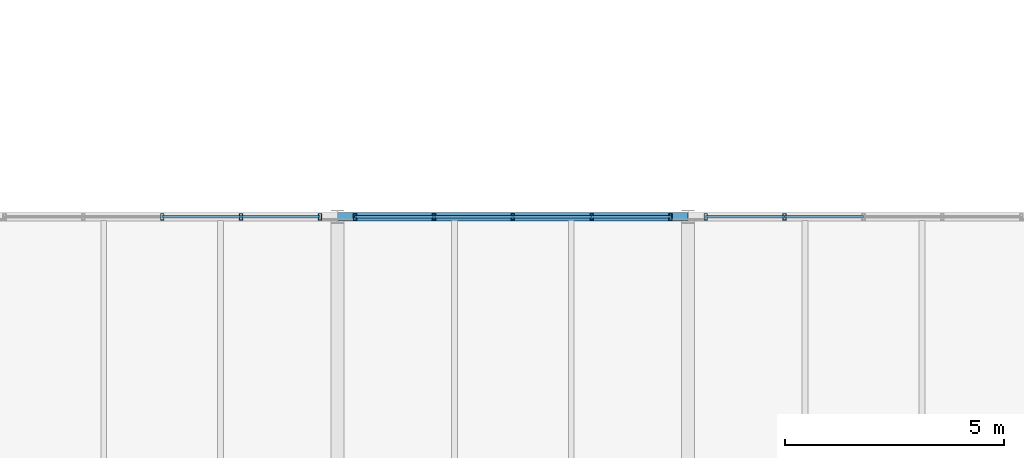
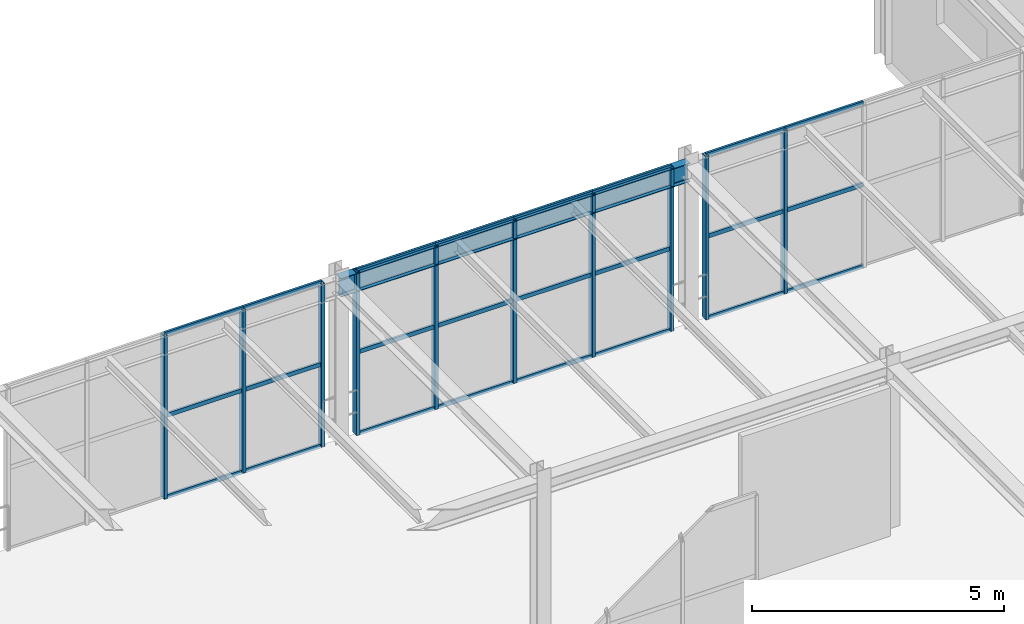
# One storey, part 50 of 124: 34 members, 1 beam, 3 elements without a shape of their own.
"""IFC4 building model written with IfcOpenShell, lengths in metres."""

from ifc_helpers import new_model, si_unit, direction, frame, origin, origin_2d, place, context, subcontext, project, spatial, hollow_rectangle, i_section, extrude, material, material_profile, profile_set, type_object, element, aggregate, save


model = new_model("IFC4")

# Units and contexts
model_context = context("Model", 3, precision=1e-05, world=origin(), true_north=direction((0.0, 1.0)))
body_context = subcontext(model_context, "Body", "Model", "MODEL_VIEW")
ifc_project = project(units=[si_unit("LENGTHUNIT", "METRE"), si_unit("AREAUNIT", "SQUARE_METRE"), si_unit("VOLUMEUNIT", "CUBIC_METRE"), si_unit("PLANEANGLEUNIT", "RADIAN"), si_unit("MASSUNIT", "GRAM", prefix="KILO")], contexts=[model_context])

# Site, building, storey
site_placement = place(None, origin())
site = spatial("IfcSite", under=ifc_project, at=site_placement, CompositionType="ELEMENT")
building_placement = place(site_placement, origin())
building = spatial("IfcBuilding", under=site, at=building_placement, Name="Sundkrona Museum", CompositionType="ELEMENT")
storey_placement = place(building_placement, frame((0.0, 0.0, 17.60009765625)))
storey = spatial("IfcBuildingStorey", under=building, at=storey_placement, Name="L03", CompositionType="ELEMENT", Elevation=17.60009765625)

# Curtain wall, members
ifc_material_1 = material(Name="Unitised Aluminium-Steel and Ceramic-Clad Curtain Walling", Category="steel")
curtain_wall_type = type_object("IfcCurtainWallType", Name="CW-AT-72x38", PredefinedType="NOTDEFINED", material=ifc_material_1)
curtain_wall_1_placement = place(storey_placement, origin())
curtain_wall_1 = element("IfcCurtainWall", 1, at=curtain_wall_1_placement, inside=storey, type_object=curtain_wall_type, Name="L03 Curtain Wall CW-L03-072", PredefinedType="NOTDEFINED")
ifc_material_2 = material(Name="Aluminium EN AW-6060 T66", Category="aluminium")
ifc_material_profile_1 = material_profile(ifc_material_2, hollow_rectangle(XDim=0.074951171875, YDim=0.14990234375, WallThickness=0.00634765625, at=origin_2d()), Name="RHS 150x75x6.3")
ifc_profile_set_1 = profile_set([ifc_material_profile_1], Name="Aluminium EN AW-6060 T66")
member_type_1 = type_object("IfcMemberType", Name="ML-150", PredefinedType="MULLION", material=ifc_profile_set_1)
member_1_placement = place(storey_placement, frame((100.0, 40.0, -0.004150390625), z_axis=(0.0, 0.0, 1.0), x_axis=(1.0, 0.0, 0.0)))
member_1 = element("IfcMember", 2, at=member_1_placement, type_object=member_type_1, Name="CW-L03-072 Mullion 03", PredefinedType="MULLION", context=body_context, shape_type="SweptSolid", body=[
    extrude(hollow_rectangle(XDim=0.074951171875, YDim=0.14990234375, WallThickness=0.00634765625, at=origin_2d()), origin(), (0.0, 0.0, 1.0), 3.947998046875),
])
member_2_placement = place(storey_placement, frame((101.800048828125, 40.0, -0.004150390625), z_axis=(0.0, 0.0, 1.0), x_axis=(1.0, 0.0, 0.0)))
member_2 = element("IfcMember", 3, at=member_2_placement, type_object=member_type_1, Name="CW-L03-072 Mullion 04", PredefinedType="MULLION", context=body_context, shape_type="SweptSolid", body=[
    extrude(hollow_rectangle(XDim=0.074951171875, YDim=0.14990234375, WallThickness=0.00634765625, at=origin_2d()), origin(), (0.0, 0.0, 1.0), 3.947998046875),
])
member_3_placement = place(storey_placement, frame((103.60009765625, 40.0, -0.004150390625), z_axis=(0.0, 0.0, 1.0), x_axis=(1.0, 0.0, 0.0)))
member_3 = element("IfcMember", 4, at=member_3_placement, type_object=member_type_1, Name="CW-L03-072 Mullion 05", PredefinedType="MULLION", context=body_context, shape_type="SweptSolid", body=[
    extrude(hollow_rectangle(XDim=0.074951171875, YDim=0.14990234375, WallThickness=0.00634765625, at=origin_2d()), origin(), (0.0, 0.0, 1.0), 3.947998046875),
])

curtain_wall_2_placement = place(storey_placement, origin())
curtain_wall_2 = element("IfcCurtainWall", 5, at=curtain_wall_2_placement, inside=storey, type_object=curtain_wall_type, Name="L03 Curtain Wall CW-L03-073", PredefinedType="NOTDEFINED")
member_4_placement = place(storey_placement, frame((104.39990234375, 40.0, -0.004150390625), z_axis=(0.0, 0.0, 1.0), x_axis=(1.0, 0.0, 0.0)))
member_4 = element("IfcMember", 6, at=member_4_placement, type_object=member_type_1, Name="CW-L03-073 Mullion 01", PredefinedType="MULLION", context=body_context, shape_type="SweptSolid", body=[
    extrude(hollow_rectangle(XDim=0.074951171875, YDim=0.14990234375, WallThickness=0.00634765625, at=origin_2d()), origin(), (0.0, 0.0, 1.0), 3.947998046875),
])
member_5_placement = place(storey_placement, frame((106.199951171875, 40.0, -0.004150390625), z_axis=(0.0, 0.0, 1.0), x_axis=(1.0, 0.0, 0.0)))
member_5 = element("IfcMember", 7, at=member_5_placement, type_object=member_type_1, Name="CW-L03-073 Mullion 02", PredefinedType="MULLION", context=body_context, shape_type="SweptSolid", body=[
    extrude(hollow_rectangle(XDim=0.074951171875, YDim=0.14990234375, WallThickness=0.00634765625, at=origin_2d()), origin(), (0.0, 0.0, 1.0), 3.947998046875),
])
member_6_placement = place(storey_placement, frame((108.0, 40.0, -0.004150390625), z_axis=(0.0, 0.0, 1.0), x_axis=(1.0, 0.0, 0.0)))
member_6 = element("IfcMember", 8, at=member_6_placement, type_object=member_type_1, Name="CW-L03-073 Mullion 03", PredefinedType="MULLION", context=body_context, shape_type="SweptSolid", body=[
    extrude(hollow_rectangle(XDim=0.074951171875, YDim=0.14990234375, WallThickness=0.00634765625, at=origin_2d()), origin(), (0.0, 0.0, 1.0), 3.947998046875),
])
member_7_placement = place(storey_placement, frame((109.800048828125, 40.0, -0.004150390625), z_axis=(0.0, 0.0, 1.0), x_axis=(1.0, 0.0, 0.0)))
member_7 = element("IfcMember", 9, at=member_7_placement, type_object=member_type_1, Name="CW-L03-073 Mullion 04", PredefinedType="MULLION", context=body_context, shape_type="SweptSolid", body=[
    extrude(hollow_rectangle(XDim=0.074951171875, YDim=0.14990234375, WallThickness=0.00634765625, at=origin_2d()), origin(), (0.0, 0.0, 1.0), 3.947998046875),
])
member_8_placement = place(storey_placement, frame((111.60009765625, 40.0, -0.004150390625), z_axis=(0.0, 0.0, 1.0), x_axis=(1.0, 0.0, 0.0)))
member_8 = element("IfcMember", 10, at=member_8_placement, type_object=member_type_1, Name="CW-L03-073 Mullion 05", PredefinedType="MULLION", context=body_context, shape_type="SweptSolid", body=[
    extrude(hollow_rectangle(XDim=0.074951171875, YDim=0.14990234375, WallThickness=0.00634765625, at=origin_2d()), origin(), (0.0, 0.0, 1.0), 3.947998046875),
])

curtain_wall_3_placement = place(storey_placement, origin())
curtain_wall_3 = element("IfcCurtainWall", 11, at=curtain_wall_3_placement, inside=storey, type_object=curtain_wall_type, Name="L03 Curtain Wall CW-L03-074", PredefinedType="NOTDEFINED")
member_9_placement = place(storey_placement, frame((112.39990234375, 40.0, -0.004150390625), z_axis=(0.0, 0.0, 1.0), x_axis=(1.0, 0.0, 0.0)))
member_9 = element("IfcMember", 12, at=member_9_placement, type_object=member_type_1, Name="CW-L03-074 Mullion 01", PredefinedType="MULLION", context=body_context, shape_type="SweptSolid", body=[
    extrude(hollow_rectangle(XDim=0.074951171875, YDim=0.14990234375, WallThickness=0.00634765625, at=origin_2d()), origin(), (0.0, 0.0, 1.0), 3.947998046875),
])
member_10_placement = place(storey_placement, frame((114.199951171875, 40.0, -0.004150390625), z_axis=(0.0, 0.0, 1.0), x_axis=(1.0, 0.0, 0.0)))
member_10 = element("IfcMember", 13, at=member_10_placement, type_object=member_type_1, Name="CW-L03-074 Mullion 02", PredefinedType="MULLION", context=body_context, shape_type="SweptSolid", body=[
    extrude(hollow_rectangle(XDim=0.074951171875, YDim=0.14990234375, WallThickness=0.00634765625, at=origin_2d()), origin(), (0.0, 0.0, 1.0), 3.947998046875),
])

# Beam
ifc_material_3 = material(Name="Steel S355J2", Category="steel")
ifc_material_profile_2 = material_profile(ifc_material_3, i_section(OverallWidth=0.18994140625, OverallDepth=0.449951171875, WebThickness=0.009521484375, FlangeThickness=0.0146484375, FilletRadius=0.02099609375, at=origin_2d()), Name="IPE 450")
ifc_profile_set_2 = profile_set([ifc_material_profile_2], Name="Steel S355J2")
beam_type = type_object("IfcBeamType", Name="SP-IPE450", PredefinedType="SPANDREL", material=ifc_profile_set_2)
beam_placement = place(storey_placement, frame((104.0, 40.0, 3.71484375), z_axis=(1.0, 0.0, 0.0), x_axis=(0.0, 1.0, 0.0)))
element("IfcBeam", 14, at=beam_placement, inside=storey, type_object=beam_type, Name="L03 Girder X-1460", PredefinedType="SPANDREL", context=body_context, shape_type="SweptSolid", body=[
    extrude(i_section(OverallWidth=0.18994140625, OverallDepth=0.449951171875, WebThickness=0.009521484375, FlangeThickness=0.0146484375, FilletRadius=0.02099609375, at=origin_2d()), origin(), (0.0, 0.0, 1.0), 8.0),
])

# Member
ifc_material_profile_3 = material_profile(ifc_material_2, hollow_rectangle(XDim=0.050048828125, YDim=0.10009765625, WallThickness=0.0048828125, at=origin_2d()), Name="RHS 100x50x5.0")
ifc_profile_set_3 = profile_set([ifc_material_profile_3], Name="Aluminium EN AW-6060 T66")
member_type_2 = type_object("IfcMemberType", Name="TR-100", PredefinedType="USERDEFINED", material=ifc_profile_set_3)
member_11_placement = place(storey_placement, frame((100.0, 40.0, -0.004150390625), z_axis=(1.0, 0.0, 0.0), x_axis=(0.0, 1.0, 0.0)))
member_11 = element("IfcMember", 15, at=member_11_placement, type_object=member_type_2, Name="CW-L03-072 Transom 07", ObjectType="TRANSOM", PredefinedType="USERDEFINED", context=body_context, shape_type="SweptSolid", body=[
    extrude(hollow_rectangle(XDim=0.050048828125, YDim=0.10009765625, WallThickness=0.0048828125, at=origin_2d()), origin(), (0.0, 0.0, 1.0), 1.800048828125),
])

member_12_placement = place(storey_placement, frame((100.0, 40.0, 1.969970703125), z_axis=(1.0, 0.0, 0.0), x_axis=(0.0, 1.0, 0.0)))
member_12 = element("IfcMember", 16, at=member_12_placement, type_object=member_type_2, Name="CW-L03-072 Transom 08", ObjectType="TRANSOM", PredefinedType="USERDEFINED", context=body_context, shape_type="SweptSolid", body=[
    extrude(hollow_rectangle(XDim=0.050048828125, YDim=0.10009765625, WallThickness=0.0048828125, at=origin_2d()), origin(), (0.0, 0.0, 1.0), 1.800048828125),
])

member_13_placement = place(storey_placement, frame((100.0, 40.0, 3.94384765625), z_axis=(1.0, 0.0, 0.0), x_axis=(0.0, 1.0, 0.0)))
member_13 = element("IfcMember", 17, at=member_13_placement, type_object=member_type_2, Name="CW-L03-072 Transom 09", ObjectType="TRANSOM", PredefinedType="USERDEFINED", context=body_context, shape_type="SweptSolid", body=[
    extrude(hollow_rectangle(XDim=0.050048828125, YDim=0.10009765625, WallThickness=0.0048828125, at=origin_2d()), origin(), (0.0, 0.0, 1.0), 1.800048828125),
])

member_14_placement = place(storey_placement, frame((101.800048828125, 40.0, -0.004150390625), z_axis=(1.0, 0.0, 0.0), x_axis=(0.0, 1.0, 0.0)))
member_14 = element("IfcMember", 18, at=member_14_placement, type_object=member_type_2, Name="CW-L03-072 Transom 10", ObjectType="TRANSOM", PredefinedType="USERDEFINED", context=body_context, shape_type="SweptSolid", body=[
    extrude(hollow_rectangle(XDim=0.050048828125, YDim=0.10009765625, WallThickness=0.0048828125, at=origin_2d()), origin(), (0.0, 0.0, 1.0), 1.800048828125),
])

member_15_placement = place(storey_placement, frame((101.800048828125, 40.0, 1.969970703125), z_axis=(1.0, 0.0, 0.0), x_axis=(0.0, 1.0, 0.0)))
member_15 = element("IfcMember", 19, at=member_15_placement, type_object=member_type_2, Name="CW-L03-072 Transom 11", ObjectType="TRANSOM", PredefinedType="USERDEFINED", context=body_context, shape_type="SweptSolid", body=[
    extrude(hollow_rectangle(XDim=0.050048828125, YDim=0.10009765625, WallThickness=0.0048828125, at=origin_2d()), origin(), (0.0, 0.0, 1.0), 1.800048828125),
])

member_16_placement = place(storey_placement, frame((101.800048828125, 40.0, 3.94384765625), z_axis=(1.0, 0.0, 0.0), x_axis=(0.0, 1.0, 0.0)))
member_16 = element("IfcMember", 20, at=member_16_placement, type_object=member_type_2, Name="CW-L03-072 Transom 12", ObjectType="TRANSOM", PredefinedType="USERDEFINED", context=body_context, shape_type="SweptSolid", body=[
    extrude(hollow_rectangle(XDim=0.050048828125, YDim=0.10009765625, WallThickness=0.0048828125, at=origin_2d()), origin(), (0.0, 0.0, 1.0), 1.800048828125),
])

aggregate(curtain_wall_1, [member_1, member_2, member_3, member_11, member_12, member_13, member_14, member_15, member_16])

member_17_placement = place(storey_placement, frame((104.39990234375, 40.0, -0.004150390625), z_axis=(1.0, 0.0, 0.0), x_axis=(0.0, 1.0, 0.0)))
member_17 = element("IfcMember", 21, at=member_17_placement, type_object=member_type_2, Name="CW-L03-073 Transom 01", ObjectType="TRANSOM", PredefinedType="USERDEFINED", context=body_context, shape_type="SweptSolid", body=[
    extrude(hollow_rectangle(XDim=0.050048828125, YDim=0.10009765625, WallThickness=0.0048828125, at=origin_2d()), origin(), (0.0, 0.0, 1.0), 1.800048828125),
])

member_18_placement = place(storey_placement, frame((104.39990234375, 40.0, 1.969970703125), z_axis=(1.0, 0.0, 0.0), x_axis=(0.0, 1.0, 0.0)))
member_18 = element("IfcMember", 22, at=member_18_placement, type_object=member_type_2, Name="CW-L03-073 Transom 02", ObjectType="TRANSOM", PredefinedType="USERDEFINED", context=body_context, shape_type="SweptSolid", body=[
    extrude(hollow_rectangle(XDim=0.050048828125, YDim=0.10009765625, WallThickness=0.0048828125, at=origin_2d()), origin(), (0.0, 0.0, 1.0), 1.800048828125),
])

member_19_placement = place(storey_placement, frame((104.39990234375, 40.0, 3.94384765625), z_axis=(1.0, 0.0, 0.0), x_axis=(0.0, 1.0, 0.0)))
member_19 = element("IfcMember", 23, at=member_19_placement, type_object=member_type_2, Name="CW-L03-073 Transom 03", ObjectType="TRANSOM", PredefinedType="USERDEFINED", context=body_context, shape_type="SweptSolid", body=[
    extrude(hollow_rectangle(XDim=0.050048828125, YDim=0.10009765625, WallThickness=0.0048828125, at=origin_2d()), origin(), (0.0, 0.0, 1.0), 1.800048828125),
])

member_20_placement = place(storey_placement, frame((106.199951171875, 40.0, -0.004150390625), z_axis=(1.0, 0.0, 0.0), x_axis=(0.0, 1.0, 0.0)))
member_20 = element("IfcMember", 24, at=member_20_placement, type_object=member_type_2, Name="CW-L03-073 Transom 04", ObjectType="TRANSOM", PredefinedType="USERDEFINED", context=body_context, shape_type="SweptSolid", body=[
    extrude(hollow_rectangle(XDim=0.050048828125, YDim=0.10009765625, WallThickness=0.0048828125, at=origin_2d()), origin(), (0.0, 0.0, 1.0), 1.800048828125),
])

member_21_placement = place(storey_placement, frame((106.199951171875, 40.0, 1.969970703125), z_axis=(1.0, 0.0, 0.0), x_axis=(0.0, 1.0, 0.0)))
member_21 = element("IfcMember", 25, at=member_21_placement, type_object=member_type_2, Name="CW-L03-073 Transom 05", ObjectType="TRANSOM", PredefinedType="USERDEFINED", context=body_context, shape_type="SweptSolid", body=[
    extrude(hollow_rectangle(XDim=0.050048828125, YDim=0.10009765625, WallThickness=0.0048828125, at=origin_2d()), origin(), (0.0, 0.0, 1.0), 1.800048828125),
])

member_22_placement = place(storey_placement, frame((106.199951171875, 40.0, 3.94384765625), z_axis=(1.0, 0.0, 0.0), x_axis=(0.0, 1.0, 0.0)))
member_22 = element("IfcMember", 26, at=member_22_placement, type_object=member_type_2, Name="CW-L03-073 Transom 06", ObjectType="TRANSOM", PredefinedType="USERDEFINED", context=body_context, shape_type="SweptSolid", body=[
    extrude(hollow_rectangle(XDim=0.050048828125, YDim=0.10009765625, WallThickness=0.0048828125, at=origin_2d()), origin(), (0.0, 0.0, 1.0), 1.800048828125),
])

member_23_placement = place(storey_placement, frame((108.0, 40.0, -0.004150390625), z_axis=(1.0, 0.0, 0.0), x_axis=(0.0, 1.0, 0.0)))
member_23 = element("IfcMember", 27, at=member_23_placement, type_object=member_type_2, Name="CW-L03-073 Transom 07", ObjectType="TRANSOM", PredefinedType="USERDEFINED", context=body_context, shape_type="SweptSolid", body=[
    extrude(hollow_rectangle(XDim=0.050048828125, YDim=0.10009765625, WallThickness=0.0048828125, at=origin_2d()), origin(), (0.0, 0.0, 1.0), 1.800048828125),
])

member_24_placement = place(storey_placement, frame((108.0, 40.0, 1.969970703125), z_axis=(1.0, 0.0, 0.0), x_axis=(0.0, 1.0, 0.0)))
member_24 = element("IfcMember", 28, at=member_24_placement, type_object=member_type_2, Name="CW-L03-073 Transom 08", ObjectType="TRANSOM", PredefinedType="USERDEFINED", context=body_context, shape_type="SweptSolid", body=[
    extrude(hollow_rectangle(XDim=0.050048828125, YDim=0.10009765625, WallThickness=0.0048828125, at=origin_2d()), origin(), (0.0, 0.0, 1.0), 1.800048828125),
])

member_25_placement = place(storey_placement, frame((108.0, 40.0, 3.94384765625), z_axis=(1.0, 0.0, 0.0), x_axis=(0.0, 1.0, 0.0)))
member_25 = element("IfcMember", 29, at=member_25_placement, type_object=member_type_2, Name="CW-L03-073 Transom 09", ObjectType="TRANSOM", PredefinedType="USERDEFINED", context=body_context, shape_type="SweptSolid", body=[
    extrude(hollow_rectangle(XDim=0.050048828125, YDim=0.10009765625, WallThickness=0.0048828125, at=origin_2d()), origin(), (0.0, 0.0, 1.0), 1.800048828125),
])

member_26_placement = place(storey_placement, frame((109.800048828125, 40.0, -0.004150390625), z_axis=(1.0, 0.0, 0.0), x_axis=(0.0, 1.0, 0.0)))
member_26 = element("IfcMember", 30, at=member_26_placement, type_object=member_type_2, Name="CW-L03-073 Transom 10", ObjectType="TRANSOM", PredefinedType="USERDEFINED", context=body_context, shape_type="SweptSolid", body=[
    extrude(hollow_rectangle(XDim=0.050048828125, YDim=0.10009765625, WallThickness=0.0048828125, at=origin_2d()), origin(), (0.0, 0.0, 1.0), 1.800048828125),
])

member_27_placement = place(storey_placement, frame((109.800048828125, 40.0, 1.969970703125), z_axis=(1.0, 0.0, 0.0), x_axis=(0.0, 1.0, 0.0)))
member_27 = element("IfcMember", 31, at=member_27_placement, type_object=member_type_2, Name="CW-L03-073 Transom 11", ObjectType="TRANSOM", PredefinedType="USERDEFINED", context=body_context, shape_type="SweptSolid", body=[
    extrude(hollow_rectangle(XDim=0.050048828125, YDim=0.10009765625, WallThickness=0.0048828125, at=origin_2d()), origin(), (0.0, 0.0, 1.0), 1.800048828125),
])

member_28_placement = place(storey_placement, frame((109.800048828125, 40.0, 3.94384765625), z_axis=(1.0, 0.0, 0.0), x_axis=(0.0, 1.0, 0.0)))
member_28 = element("IfcMember", 32, at=member_28_placement, type_object=member_type_2, Name="CW-L03-073 Transom 12", ObjectType="TRANSOM", PredefinedType="USERDEFINED", context=body_context, shape_type="SweptSolid", body=[
    extrude(hollow_rectangle(XDim=0.050048828125, YDim=0.10009765625, WallThickness=0.0048828125, at=origin_2d()), origin(), (0.0, 0.0, 1.0), 1.800048828125),
])

aggregate(curtain_wall_2, [member_4, member_5, member_6, member_7, member_8, member_17, member_18, member_19, member_20, member_21, member_22, member_23, member_24, member_25, member_26, member_27, member_28])

member_29_placement = place(storey_placement, frame((112.39990234375, 40.0, -0.004150390625), z_axis=(1.0, 0.0, 0.0), x_axis=(0.0, 1.0, 0.0)))
member_29 = element("IfcMember", 33, at=member_29_placement, type_object=member_type_2, Name="CW-L03-074 Transom 01", ObjectType="TRANSOM", PredefinedType="USERDEFINED", context=body_context, shape_type="SweptSolid", body=[
    extrude(hollow_rectangle(XDim=0.050048828125, YDim=0.10009765625, WallThickness=0.0048828125, at=origin_2d()), origin(), (0.0, 0.0, 1.0), 1.800048828125),
])

member_30_placement = place(storey_placement, frame((112.39990234375, 40.0, 1.969970703125), z_axis=(1.0, 0.0, 0.0), x_axis=(0.0, 1.0, 0.0)))
member_30 = element("IfcMember", 34, at=member_30_placement, type_object=member_type_2, Name="CW-L03-074 Transom 02", ObjectType="TRANSOM", PredefinedType="USERDEFINED", context=body_context, shape_type="SweptSolid", body=[
    extrude(hollow_rectangle(XDim=0.050048828125, YDim=0.10009765625, WallThickness=0.0048828125, at=origin_2d()), origin(), (0.0, 0.0, 1.0), 1.800048828125),
])

member_31_placement = place(storey_placement, frame((112.39990234375, 40.0, 3.94384765625), z_axis=(1.0, 0.0, 0.0), x_axis=(0.0, 1.0, 0.0)))
member_31 = element("IfcMember", 35, at=member_31_placement, type_object=member_type_2, Name="CW-L03-074 Transom 03", ObjectType="TRANSOM", PredefinedType="USERDEFINED", context=body_context, shape_type="SweptSolid", body=[
    extrude(hollow_rectangle(XDim=0.050048828125, YDim=0.10009765625, WallThickness=0.0048828125, at=origin_2d()), origin(), (0.0, 0.0, 1.0), 1.800048828125),
])

member_32_placement = place(storey_placement, frame((114.199951171875, 40.0, -0.004150390625), z_axis=(1.0, 0.0, 0.0), x_axis=(0.0, 1.0, 0.0)))
member_32 = element("IfcMember", 36, at=member_32_placement, type_object=member_type_2, Name="CW-L03-074 Transom 04", ObjectType="TRANSOM", PredefinedType="USERDEFINED", context=body_context, shape_type="SweptSolid", body=[
    extrude(hollow_rectangle(XDim=0.050048828125, YDim=0.10009765625, WallThickness=0.0048828125, at=origin_2d()), origin(), (0.0, 0.0, 1.0), 1.800048828125),
])

member_33_placement = place(storey_placement, frame((114.199951171875, 40.0, 1.969970703125), z_axis=(1.0, 0.0, 0.0), x_axis=(0.0, 1.0, 0.0)))
member_33 = element("IfcMember", 37, at=member_33_placement, type_object=member_type_2, Name="CW-L03-074 Transom 05", ObjectType="TRANSOM", PredefinedType="USERDEFINED", context=body_context, shape_type="SweptSolid", body=[
    extrude(hollow_rectangle(XDim=0.050048828125, YDim=0.10009765625, WallThickness=0.0048828125, at=origin_2d()), origin(), (0.0, 0.0, 1.0), 1.800048828125),
])

member_34_placement = place(storey_placement, frame((114.199951171875, 40.0, 3.94384765625), z_axis=(1.0, 0.0, 0.0), x_axis=(0.0, 1.0, 0.0)))
member_34 = element("IfcMember", 38, at=member_34_placement, type_object=member_type_2, Name="CW-L03-074 Transom 06", ObjectType="TRANSOM", PredefinedType="USERDEFINED", context=body_context, shape_type="SweptSolid", body=[
    extrude(hollow_rectangle(XDim=0.050048828125, YDim=0.10009765625, WallThickness=0.0048828125, at=origin_2d()), origin(), (0.0, 0.0, 1.0), 1.800048828125),
])

aggregate(curtain_wall_3, [member_9, member_10, member_29, member_30, member_31, member_32, member_33, member_34])

save(model, "model.ifc")
